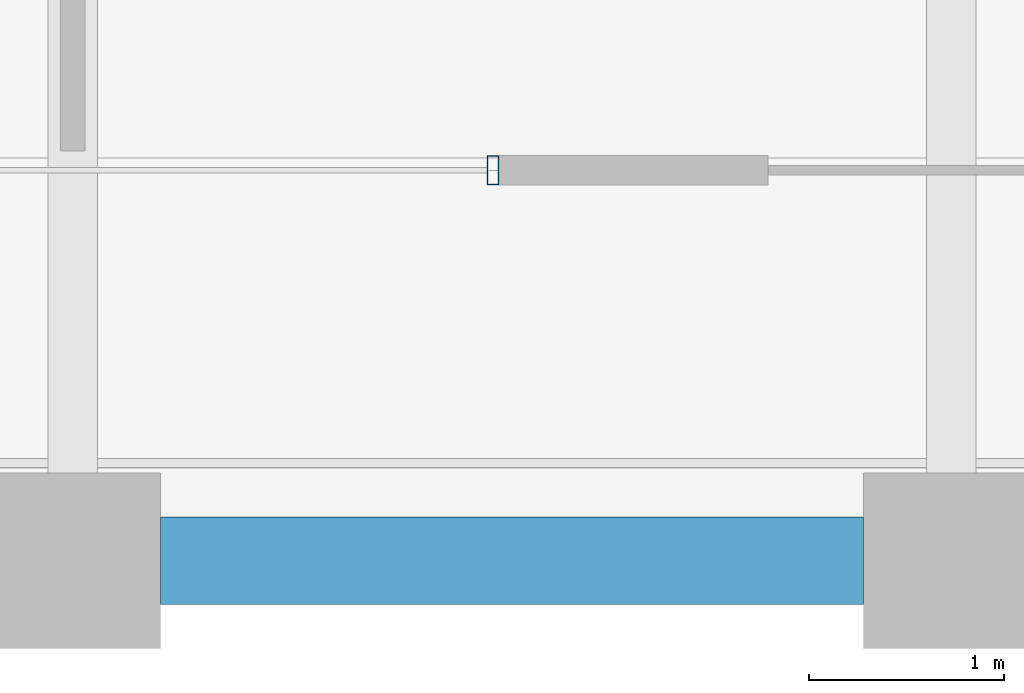
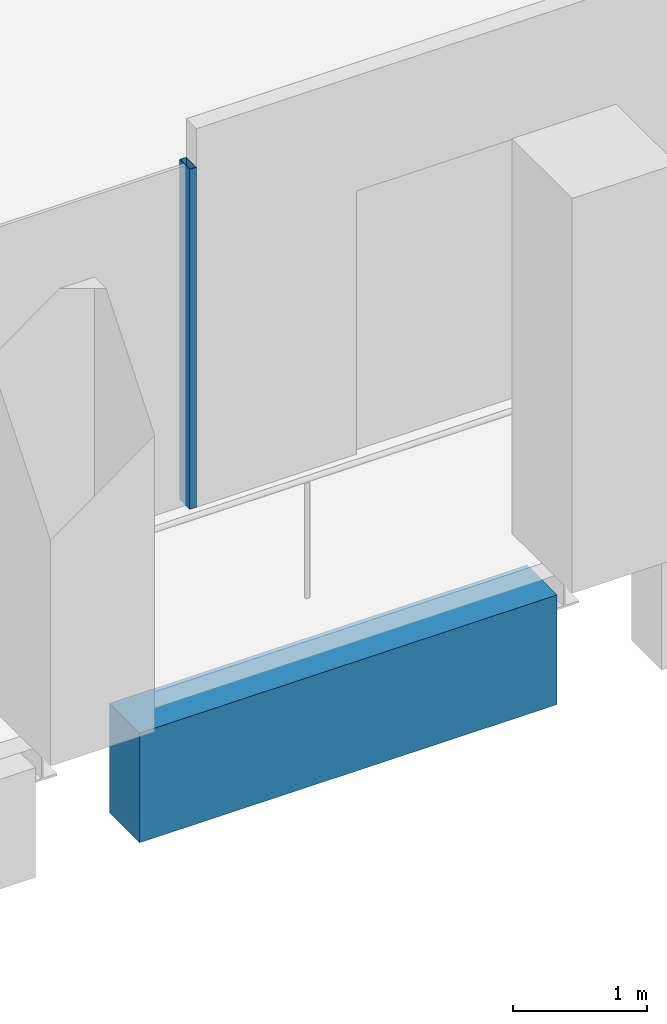
# One storey, part 7 of 40: 1 beam, 1 member, 1 element without a shape of its own.
"""IFC4 building model written with IfcOpenShell, lengths in metres."""

from ifc_helpers import new_model, si_unit, direction, frame, origin, origin_2d, place, context, subcontext, project, spatial, rectangle, hollow_rectangle, extrude, material, material_profile, profile_set, type_object, element, aggregate, save


model = new_model("IFC4")

# Units and contexts
model_context = context("Model", 3, precision=1e-05, world=origin(), true_north=direction((0.0, 1.0)))
body_context = subcontext(model_context, "Body", "Model", "MODEL_VIEW")
ifc_project = project(units=[si_unit("LENGTHUNIT", "METRE"), si_unit("AREAUNIT", "SQUARE_METRE"), si_unit("VOLUMEUNIT", "CUBIC_METRE"), si_unit("PLANEANGLEUNIT", "RADIAN"), si_unit("MASSUNIT", "GRAM", prefix="KILO")], contexts=[model_context])

# Site, building, storey
site_placement = place(None, origin())
site = spatial("IfcSite", under=ifc_project, at=site_placement, CompositionType="ELEMENT")
building_placement = place(site_placement, origin())
building = spatial("IfcBuilding", under=site, at=building_placement, Name="Altepetl Exchange Towers", CompositionType="ELEMENT")
storey_placement = place(building_placement, frame((0.0, 0.0, 179.800048828125)))
storey = spatial("IfcBuildingStorey", under=building, at=storey_placement, Name="L45", CompositionType="ELEMENT", Elevation=179.800048828125)

# Curtain wall, member
ifc_material_1 = material(Name="Aluminium 6063-T6 glazing", Category="aluminium")
curtain_wall_type = type_object("IfcCurtainWallType", Name="Loggia glazing system", PredefinedType="NOTDEFINED", material=ifc_material_1)
curtain_wall_placement = place(storey_placement, origin())
curtain_wall = element("IfcCurtainWall", 1, at=curtain_wall_placement, inside=storey, type_object=curtain_wall_type, Name="CW1 run", PredefinedType="NOTDEFINED")
ifc_material_2 = material(Name="Aluminium 6063-T6", Category="aluminium")
ifc_material_profile_1 = material_profile(ifc_material_2, hollow_rectangle(XDim=0.06005859375, YDim=0.14990234375, WallThickness=0.0029296875, at=origin_2d()), Name="Mullion 60x150 aluminium")
ifc_profile_set_1 = profile_set([ifc_material_profile_1], Name="Aluminium 6063-T6")
member_type = type_object("IfcMemberType", Name="Mullion 60x150 aluminium", PredefinedType="MULLION", material=ifc_profile_set_1)
member_placement = place(storey_placement, frame((47.152099609375, 29.0, 0.0)))
member = element("IfcMember", 2, at=member_placement, type_object=member_type, Name="MU1 mullion", PredefinedType="MULLION", context=body_context, shape_type="SweptSolid", body=[
    extrude(hollow_rectangle(XDim=0.06005859375, YDim=0.14990234375, WallThickness=0.0029296875, at=origin_2d()), origin(), (0.0, 0.0, 1.0), 3.099853515625),
])
aggregate(curtain_wall, [member])

# Beam
ifc_material_3 = material(Name="Concrete C50/60 precast with cantera blanca facing", Category="concrete")
ifc_material_profile_2 = material_profile(ifc_material_3, rectangle(XDim=0.449951171875, YDim=1.0, at=origin_2d()), Name="450 x 1000")
ifc_profile_set_2 = profile_set([ifc_material_profile_2], Name="Concrete C50/60 precast with cantera blanca facing")
beam_type = type_object("IfcBeamType", Name="Spandrel beam 450x1000 cantera blanca", PredefinedType="SPANDREL", material=ifc_profile_set_2)
beam_placement = place(storey_placement, frame((45.449951171875, 27.0, -0.650146484375), z_axis=(1.0, 0.0, 0.0), x_axis=(0.0, 1.0, 0.0)))
element("IfcBeam", 3, at=beam_placement, inside=storey, type_object=beam_type, Name="sp:A:L45:003", PredefinedType="SPANDREL", context=body_context, shape_type="SweptSolid", body=[
    extrude(rectangle(XDim=0.449951171875, YDim=1.0, at=origin_2d()), origin(), (0.0, 0.0, 1.0), 3.60009765625),
])

save(model, "model.ifc")
